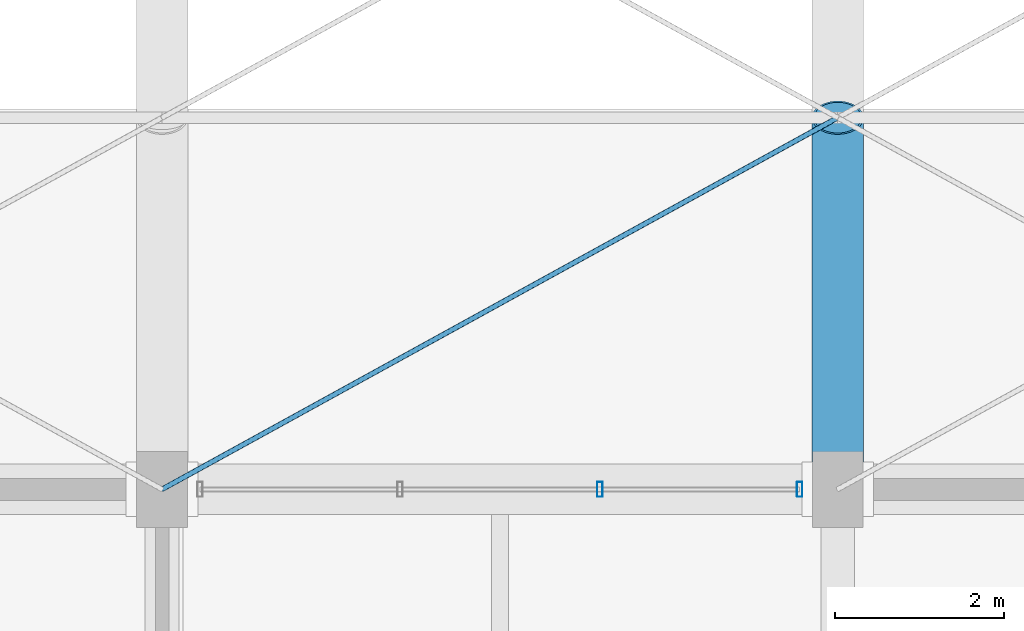
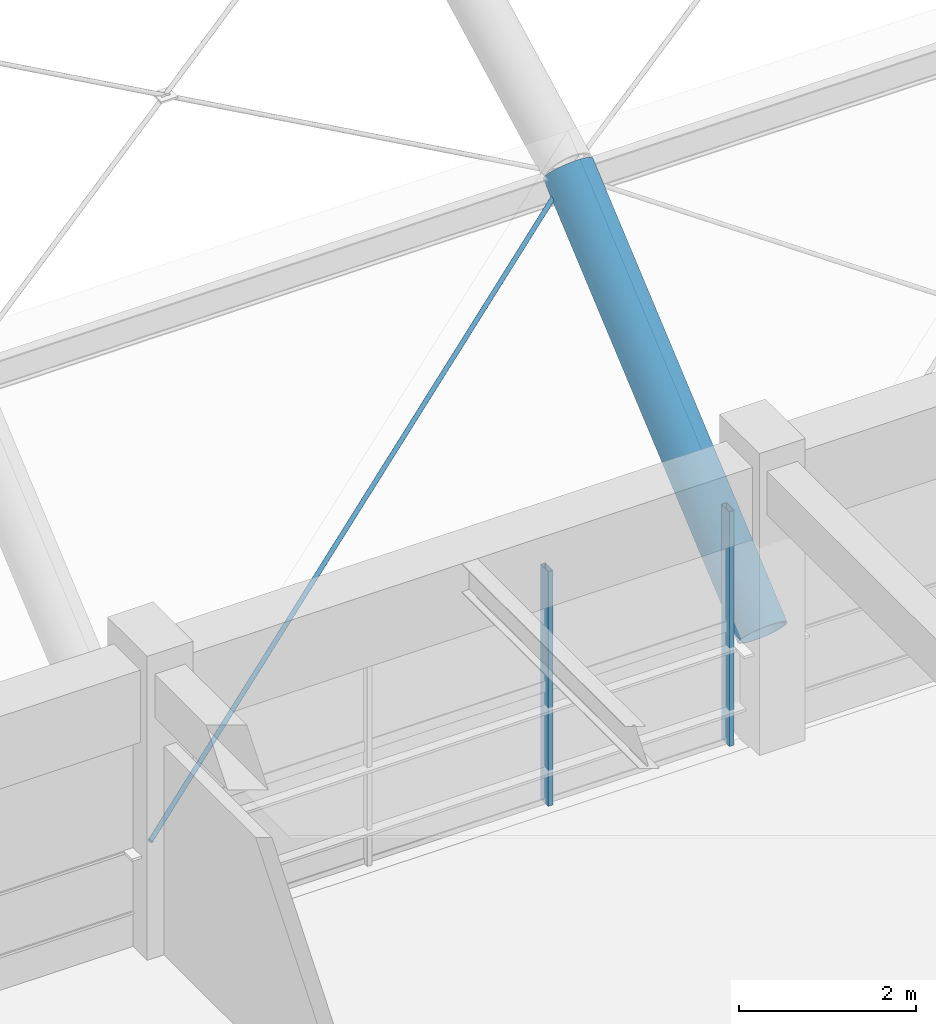
# One storey, part 80 of 126: 3 members, 1 beam, 1 element without a shape of its own.
"""IFC4 building model written with IfcOpenShell, lengths in metres."""

from ifc_helpers import new_model, si_unit, direction, frame, origin, origin_2d, place, context, subcontext, project, spatial, hollow_rectangle, circle, hollow_circle, extrude, material, material_profile, profile_set, type_object, element, aggregate, save


model = new_model("IFC4")

# Units and contexts
model_context = context("Model", 3, precision=1e-05, world=origin(), true_north=direction((0.0, 1.0)))
body_context = subcontext(model_context, "Body", "Model", "MODEL_VIEW")
ifc_project = project(units=[si_unit("LENGTHUNIT", "METRE"), si_unit("AREAUNIT", "SQUARE_METRE"), si_unit("VOLUMEUNIT", "CUBIC_METRE"), si_unit("PLANEANGLEUNIT", "RADIAN"), si_unit("MASSUNIT", "GRAM", prefix="KILO")], contexts=[model_context])

# Site, building, storey
site_placement = place(None, origin())
site = spatial("IfcSite", under=ifc_project, at=site_placement, CompositionType="ELEMENT")
building_placement = place(site_placement, origin())
building = spatial("IfcBuilding", under=site, at=building_placement, Name="Varnabhumi Central Station", CompositionType="ELEMENT")
storey_placement = place(building_placement, frame((0.0, 0.0, 16.199951171875)))
storey = spatial("IfcBuildingStorey", under=building, at=storey_placement, Name="L03", CompositionType="ELEMENT", Elevation=16.199951171875)

# Beam
ifc_material_1 = material(Name="Structural steel E450", Category="steel")
ifc_material_profile_1 = material_profile(ifc_material_1, hollow_circle(Radius=0.304931640625, WallThickness=0.02490234375, at=origin_2d()), Name="Structural steel E450", Category="steel")
ifc_profile_set_1 = profile_set([ifc_material_profile_1], Name="Structural steel E450")
beam_type = type_object("IfcBeamType", Name="BM-ARCH-CHS610", PredefinedType="BEAM", material=ifc_profile_set_1)
beam_placement = place(storey_placement, frame((160.0, 36.0, 1.35009765625), z_axis=(0.0, 0.761369888875, 0.648317740244), x_axis=(-1.0, 0.0, 0.0)))
element("IfcBeam", 1, at=beam_placement, inside=storey, type_object=beam_type, Name="Platform Train-Shed Vault Arch Rib 5 Seg 1", PredefinedType="BEAM", context=body_context, shape_type="SweptSolid", body=[
    extrude(hollow_circle(Radius=0.304931640625, WallThickness=0.02490234375, at=origin_2d()), origin(), (0.0, 0.0, 1.0), 5.77880859375),
])

# Curtain wall, members
ifc_material_2 = material(Name="Anodised aluminium 6063-T6", Category="aluminium")
curtain_wall_type = type_object("IfcCurtainWallType", Name="CW-SPINE-SCREEN-L0", PredefinedType="NOTDEFINED", material=ifc_material_2)
curtain_wall_placement = place(storey_placement, origin())
curtain_wall = element("IfcCurtainWall", 2, at=curtain_wall_placement, inside=storey, type_object=curtain_wall_type, Name="Curtain Wall CW-SS315", PredefinedType="NOTDEFINED")
ifc_material_profile_2 = material_profile(ifc_material_2, hollow_rectangle(XDim=0.06494140625, YDim=0.179931640625, WallThickness=0.00390625, InnerFilletRadius=0.001953125, OuterFilletRadius=0.006103515625, at=origin_2d()), Name="Anodised aluminium 6063-T6", Category="aluminium")
ifc_profile_set_2 = profile_set([ifc_material_profile_2], Name="Anodised aluminium 6063-T6")
member_type_1 = type_object("IfcMemberType", Name="CW-MUL-180", PredefinedType="MULLION", material=ifc_profile_set_2)
member_1_placement = place(storey_placement, frame((157.183349609375, 36.0, 0.0), z_axis=(0.0, 0.0, 1.0), x_axis=(1.0, 0.0, 0.0)))
member_1 = element("IfcMember", 3, at=member_1_placement, type_object=member_type_1, Name="Curtain Wall Mullion CW-SS315-M3", PredefinedType="MULLION", context=body_context, shape_type="SweptSolid", body=[
    extrude(hollow_rectangle(XDim=0.06494140625, YDim=0.179931640625, WallThickness=0.00390625, InnerFilletRadius=0.001953125, OuterFilletRadius=0.006103515625, at=origin_2d()), origin(), (0.0, 0.0, 1.0), 3.239990234375),
])
member_2_placement = place(storey_placement, frame((159.550048828125, 36.0, 0.0), z_axis=(0.0, 0.0, 1.0), x_axis=(1.0, 0.0, 0.0)))
member_2 = element("IfcMember", 4, at=member_2_placement, type_object=member_type_1, Name="Curtain Wall Mullion CW-SS315-M4", PredefinedType="MULLION", context=body_context, shape_type="SweptSolid", body=[
    extrude(hollow_rectangle(XDim=0.06494140625, YDim=0.179931640625, WallThickness=0.00390625, InnerFilletRadius=0.001953125, OuterFilletRadius=0.006103515625, at=origin_2d()), origin(), (0.0, 0.0, 1.0), 3.239990234375),
])
aggregate(curtain_wall, [member_1, member_2])

# Member
ifc_material_3 = material(Name="Spiral-strand steel S1570", Category="steel")
ifc_material_profile_3 = material_profile(ifc_material_3, circle(Radius=0.030029296875, at=origin_2d()), Name="Spiral-strand steel S1570", Category="steel")
ifc_profile_set_3 = profile_set([ifc_material_profile_3], Name="Spiral-strand steel S1570")
member_type_2 = type_object("IfcMemberType", Name="MBR-CABLE-D60", PredefinedType="USERDEFINED", material=ifc_profile_set_3)
member_3_placement = place(storey_placement, frame((152.0, 36.0, 1.27001953125), z_axis=(0.810623868746, 0.4458332325, 0.379633602593), x_axis=(-0.481910537812, 0.876220425204, 0.0)))
element("IfcMember", 5, at=member_3_placement, inside=storey, type_object=member_type_2, Name="Platform Train-Shed Vault Cable-Net Tie B4-P1A", ObjectType="TENSION CABLE", PredefinedType="USERDEFINED", context=body_context, shape_type="SweptSolid", body=[
    extrude(circle(Radius=0.030029296875, at=origin_2d()), origin(), (0.0, 0.0, 1.0), 9.868896484375),
])

save(model, "model.ifc")
